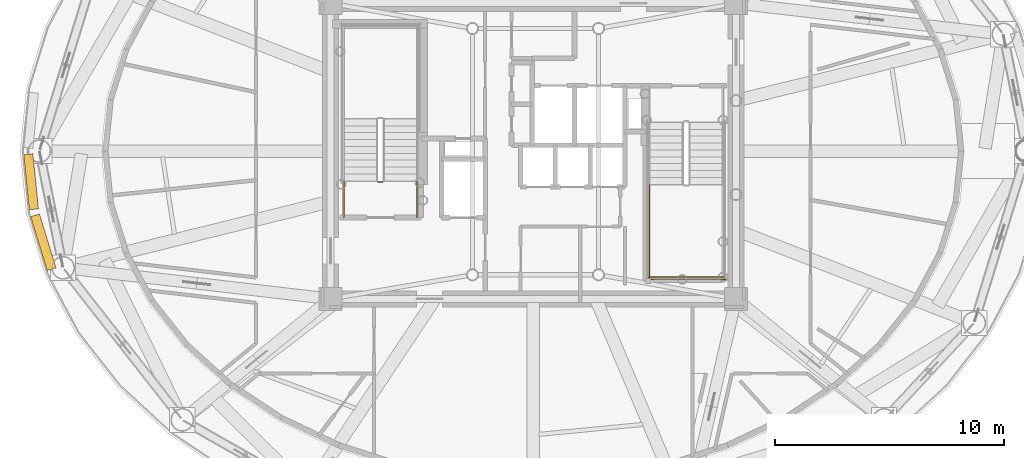
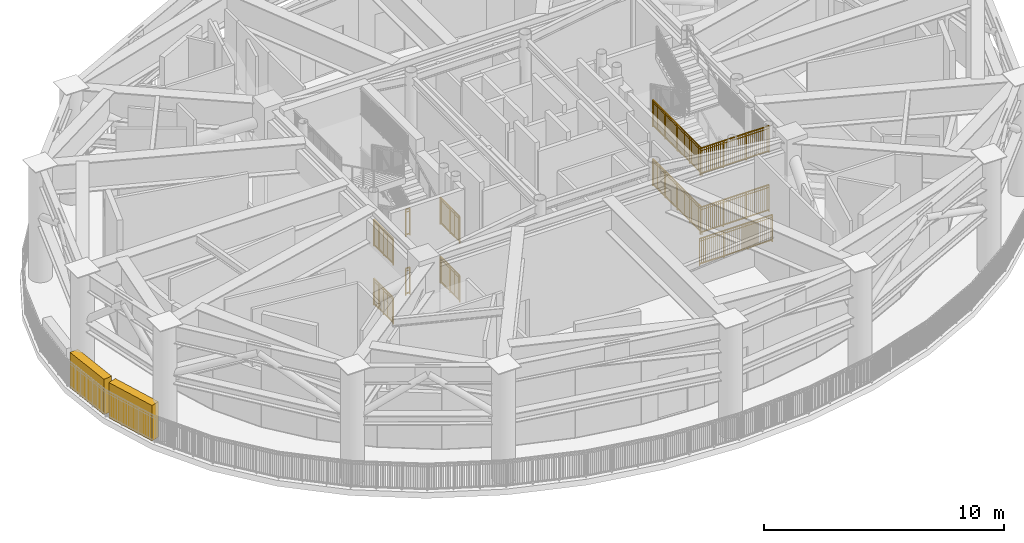
# One storey, part 11 of 17: 11 railings, 2 shading devices.
"""IFC4 building model written with IfcOpenShell, lengths in metres."""

from ifc_helpers import new_model, si_unit, direction, frame, origin, origin_2d, place, context, subcontext, project, spatial, rectangle, extrude, source, transform, mapped, material, layer, layer_set, type_object, element, save


model = new_model("IFC4")

# Units and contexts
model_context = context("Model", 3, precision=1e-05, world=origin(), true_north=direction((0.0, 1.0)))
body_context = subcontext(model_context, "Body", "Model", "MODEL_VIEW")
ifc_project = project(units=[si_unit("LENGTHUNIT", "METRE"), si_unit("AREAUNIT", "SQUARE_METRE"), si_unit("VOLUMEUNIT", "CUBIC_METRE"), si_unit("PLANEANGLEUNIT", "RADIAN"), si_unit("MASSUNIT", "GRAM", prefix="KILO")], contexts=[model_context])

# Site, building, storey
site_placement = place(None, origin())
site = spatial("IfcSite", under=ifc_project, at=site_placement, CompositionType="ELEMENT")
building_placement = place(site_placement, origin())
building = spatial("IfcBuilding", under=site, at=building_placement, Name="Linh Dai School and Residence Tower", CompositionType="ELEMENT")
storey_placement = place(building_placement, frame((0.0, 0.0, 318.0)))
storey = spatial("IfcBuildingStorey", under=building, at=storey_placement, Name="L79", CompositionType="ELEMENT", Elevation=318.0)

# Shading devices
ifc_material_1 = material(Name="Terracotta Aerofoil Louvre", Category="masonry")
ifc_layer = layer(ifc_material_1, 0.14990234375)
ifc_layer_set = layer_set([ifc_layer], Name="Terracotta Aerofoil Louvre")
shading_device_type = type_object("IfcShadingDeviceType", Name="SHD-JAL-400", PredefinedType="JALOUSIE", material=ifc_layer_set)
shared_shape_1 = source(origin(), body_context, "Body", "SweptSolid", [
    extrude(rectangle(XDim=2.419189453125, YDim=0.39990234375, at=origin_2d()), origin(), (0.0, 0.0, 1.0), 1.800048828125),
])
shading_device_1_placement = place(storey_placement, frame((14.08447265625, 25.662841796875, 0.0), z_axis=(0.0, 0.0, 1.0), x_axis=(-0.100014567014, 0.994985972959, 0.0)))
element("IfcShadingDevice", 1, at=shading_device_1_placement, inside=storey, type_object=shading_device_type, Name="L79 Wind Turbine Aerodynamic Louvre 21", PredefinedType="JALOUSIE", context=body_context, shape_type="MappedRepresentation", body=[
    mapped(shared_shape_1, transform((0.0, 0.0, 0.0), x_axis=(1.0, 0.0, 0.0), y_axis=(0.0, 1.0, 0.0), z_axis=(0.0, 0.0, 1.0), scale=1.0)),
])
shared_shape_2 = source(origin(), body_context, "Body", "SweptSolid", [
    extrude(rectangle(XDim=2.45849609375, YDim=0.39990234375, at=origin_2d()), origin(), (0.0, 0.0, 1.0), 1.800048828125),
])
shading_device_2_placement = place(storey_placement, frame((14.619140625, 23.019775390625, 0.0), z_axis=(0.0, 0.0, 1.0), x_axis=(-0.293156561718, 0.956064448833, 0.0)))
element("IfcShadingDevice", 2, at=shading_device_2_placement, inside=storey, type_object=shading_device_type, Name="L79 Wind Turbine Aerodynamic Louvre 22", PredefinedType="JALOUSIE", context=body_context, shape_type="MappedRepresentation", body=[
    mapped(shared_shape_2, transform((0.0, 0.0, 0.0), x_axis=(1.0, 0.0, 0.0), y_axis=(0.0, 1.0, 0.0), z_axis=(0.0, 0.0, 1.0), scale=1.0)),
])

# Railings
ifc_material_2 = material(Name="Structural Steel S355JR", Category="steel")
railing_type = type_object("IfcRailingType", Name="RL-ST-GUARD-1400", PredefinedType="GUARDRAIL", material=ifc_material_2)
shared_shape_3 = source(origin(), body_context, "Body", "SweptSolid", [
    extrude(rectangle(XDim=0.048095703125, YDim=0.048095703125, at=origin_2d()), frame((0.0, 0.0, 1.3759765625), z_axis=(-1.0, 0.0, 0.0), x_axis=(0.0, -1.0, 0.0)), (0.0, 0.0, 1.0), 0.199951171875),
    extrude(rectangle(XDim=0.048095703125, YDim=0.048095703125, at=origin_2d()), frame((0.0, 0.0, 0.10009765625), z_axis=(-1.0, 0.0, 0.0), x_axis=(0.0, -1.0, 0.0)), (0.0, 0.0, 1.0), 0.199951171875),
    extrude(rectangle(XDim=0.030029296875, YDim=0.030029296875, at=origin_2d()), frame((0.0, 0.0, 1.239990234375), z_axis=(-1.0, 0.0, 0.0), x_axis=(0.0, -1.0, 0.0)), (0.0, 0.0, 1.0), 0.199951171875),
    extrude(rectangle(XDim=0.0419921875, YDim=0.0419921875, at=origin_2d()), origin(), (0.0, 0.0, 1.0), 1.3759765625),
    extrude(rectangle(XDim=0.0419921875, YDim=0.0419921875, at=origin_2d()), frame((-0.199951171875, 0.0, 0.0)), (0.0, 0.0, 1.0), 1.3759765625),
])
for number, where, name in (
    (3, (29.429931640625, 25.64990234375, 3.0), "L79 ST1 stair guard 7"),
    (4, (29.429931640625, 25.64990234375, 0.0), "L79 ST1 stair guard 16"),
):
    element("IfcRailing", number, at=place(storey_placement, frame(where)), inside=storey, type_object=railing_type, Name=name, PredefinedType="GUARDRAIL", context=body_context, shape_type="MappedRepresentation", body=[
        mapped(shared_shape_3, transform((0.0, 0.0, 0.0), x_axis=(1.0, 0.0, 0.0), y_axis=(0.0, 1.0, 0.0), z_axis=(0.0, 0.0, 1.0), scale=1.0)),
    ])
shared_shape_4 = source(origin(), body_context, "Body", "SweptSolid", [
    extrude(rectangle(XDim=0.048095703125, YDim=0.048095703125, at=origin_2d()), frame((0.0, 0.0, 1.3759765625), z_axis=(0.0, 1.0, 0.0), x_axis=(-1.0, 0.0, 0.0)), (0.0, 0.0, 1.0), 1.599853515625),
    extrude(rectangle(XDim=0.048095703125, YDim=0.048095703125, at=origin_2d()), frame((0.0, 0.0, 0.10009765625), z_axis=(0.0, 1.0, 0.0), x_axis=(-1.0, 0.0, 0.0)), (0.0, 0.0, 1.0), 1.599853515625),
    extrude(rectangle(XDim=0.030029296875, YDim=0.030029296875, at=origin_2d()), frame((0.0, 0.0, 1.239990234375), z_axis=(0.0, 1.0, 0.0), x_axis=(-1.0, 0.0, 0.0)), (0.0, 0.0, 1.0), 1.599853515625),
    extrude(rectangle(XDim=0.02001953125, YDim=0.02001953125, at=origin_2d()), frame((0.0, 0.093994140625, 0.10009765625)), (0.0, 0.0, 1.0), 1.251708984375),
    extrude(rectangle(XDim=0.02001953125, YDim=0.02001953125, at=origin_2d()), frame((0.0, 0.188232421875, 0.10009765625)), (0.0, 0.0, 1.0), 1.251708984375),
    extrude(rectangle(XDim=0.02001953125, YDim=0.02001953125, at=origin_2d()), frame((0.0, 0.2822265625, 0.10009765625)), (0.0, 0.0, 1.0), 1.251708984375),
    extrude(rectangle(XDim=0.02001953125, YDim=0.02001953125, at=origin_2d()), frame((0.0, 0.37646484375, 0.10009765625)), (0.0, 0.0, 1.0), 1.251708984375),
    extrude(rectangle(XDim=0.02001953125, YDim=0.02001953125, at=origin_2d()), frame((0.0, 0.470458984375, 0.10009765625)), (0.0, 0.0, 1.0), 1.251708984375),
    extrude(rectangle(XDim=0.02001953125, YDim=0.02001953125, at=origin_2d()), frame((0.0, 0.564697265625, 0.10009765625)), (0.0, 0.0, 1.0), 1.251708984375),
    extrude(rectangle(XDim=0.02001953125, YDim=0.02001953125, at=origin_2d()), frame((0.0, 0.65869140625, 0.10009765625)), (0.0, 0.0, 1.0), 1.251708984375),
    extrude(rectangle(XDim=0.02001953125, YDim=0.02001953125, at=origin_2d()), frame((0.0, 0.7529296875, 0.10009765625)), (0.0, 0.0, 1.0), 1.251708984375),
    extrude(rectangle(XDim=0.02001953125, YDim=0.02001953125, at=origin_2d()), frame((0.0, 0.846923828125, 0.10009765625)), (0.0, 0.0, 1.0), 1.251708984375),
    extrude(rectangle(XDim=0.02001953125, YDim=0.02001953125, at=origin_2d()), frame((0.0, 0.941162109375, 0.10009765625)), (0.0, 0.0, 1.0), 1.251708984375),
    extrude(rectangle(XDim=0.02001953125, YDim=0.02001953125, at=origin_2d()), frame((0.0, 1.03515625, 0.10009765625)), (0.0, 0.0, 1.0), 1.251708984375),
    extrude(rectangle(XDim=0.02001953125, YDim=0.02001953125, at=origin_2d()), frame((0.0, 1.12939453125, 0.10009765625)), (0.0, 0.0, 1.0), 1.251708984375),
    extrude(rectangle(XDim=0.02001953125, YDim=0.02001953125, at=origin_2d()), frame((0.0, 1.223388671875, 0.10009765625)), (0.0, 0.0, 1.0), 1.251708984375),
    extrude(rectangle(XDim=0.02001953125, YDim=0.02001953125, at=origin_2d()), frame((0.0, 1.317626953125, 0.10009765625)), (0.0, 0.0, 1.0), 1.251708984375),
    extrude(rectangle(XDim=0.02001953125, YDim=0.02001953125, at=origin_2d()), frame((0.0, 1.41162109375, 0.10009765625)), (0.0, 0.0, 1.0), 1.251708984375),
    extrude(rectangle(XDim=0.02001953125, YDim=0.02001953125, at=origin_2d()), frame((0.0, 1.505859375, 0.10009765625)), (0.0, 0.0, 1.0), 1.251708984375),
    extrude(rectangle(XDim=0.0419921875, YDim=0.0419921875, at=origin_2d()), origin(), (0.0, 0.0, 1.0), 1.3759765625),
    extrude(rectangle(XDim=0.0419921875, YDim=0.0419921875, at=origin_2d()), frame((0.0, 0.7998046875, 0.0)), (0.0, 0.0, 1.0), 1.3759765625),
    extrude(rectangle(XDim=0.0419921875, YDim=0.0419921875, at=origin_2d()), frame((0.0, 1.599853515625, 0.0)), (0.0, 0.0, 1.0), 1.3759765625),
])
for number, where, name in (
    (5, (30.929931640625, 24.10009765625, 3.0), "L79 ST1 stair guard 8"),
    (6, (27.72998046875, 24.10009765625, 3.0), "L79 ST1 stair guard 9"),
    (7, (30.929931640625, 24.10009765625, 0.0), "L79 ST1 stair guard 17"),
    (8, (27.72998046875, 24.10009765625, 0.0), "L79 ST1 stair guard 18"),
):
    element("IfcRailing", number, at=place(storey_placement, frame(where)), inside=storey, type_object=railing_type, Name=name, PredefinedType="GUARDRAIL", context=body_context, shape_type="MappedRepresentation", body=[
        mapped(shared_shape_4, transform((0.0, 0.0, 0.0), x_axis=(1.0, 0.0, 0.0), y_axis=(0.0, 1.0, 0.0), z_axis=(0.0, 0.0, 1.0), scale=1.0)),
    ])
shared_shape_5 = source(origin(), body_context, "Body", "SweptSolid", [
    extrude(rectangle(XDim=0.048095703125, YDim=0.048095703125, at=origin_2d()), frame((0.0, 0.0, 1.3759765625), z_axis=(1.0, 0.0, 0.0), x_axis=(0.0, 1.0, 0.0)), (0.0, 0.0, 1.0), 3.300048828125),
    extrude(rectangle(XDim=0.048095703125, YDim=0.048095703125, at=origin_2d()), frame((0.0, 0.0, 0.10009765625), z_axis=(1.0, 0.0, 0.0), x_axis=(0.0, 1.0, 0.0)), (0.0, 0.0, 1.0), 3.300048828125),
    extrude(rectangle(XDim=0.030029296875, YDim=0.030029296875, at=origin_2d()), frame((0.0, 0.0, 1.239990234375), z_axis=(1.0, 0.0, 0.0), x_axis=(0.0, 1.0, 0.0)), (0.0, 0.0, 1.0), 3.300048828125),
    extrude(rectangle(XDim=0.02001953125, YDim=0.02001953125, at=origin_2d()), frame((0.09716796875, 0.0, 0.10009765625)), (0.0, 0.0, 1.0), 1.251708984375),
    extrude(rectangle(XDim=0.02001953125, YDim=0.02001953125, at=origin_2d()), frame((0.194091796875, 0.0, 0.10009765625)), (0.0, 0.0, 1.0), 1.251708984375),
    extrude(rectangle(XDim=0.02001953125, YDim=0.02001953125, at=origin_2d()), frame((0.291259765625, 0.0, 0.10009765625)), (0.0, 0.0, 1.0), 1.251708984375),
    extrude(rectangle(XDim=0.02001953125, YDim=0.02001953125, at=origin_2d()), frame((0.38818359375, 0.0, 0.10009765625)), (0.0, 0.0, 1.0), 1.251708984375),
    extrude(rectangle(XDim=0.02001953125, YDim=0.02001953125, at=origin_2d()), frame((0.4853515625, 0.0, 0.10009765625)), (0.0, 0.0, 1.0), 1.251708984375),
    extrude(rectangle(XDim=0.02001953125, YDim=0.02001953125, at=origin_2d()), frame((0.582275390625, 0.0, 0.10009765625)), (0.0, 0.0, 1.0), 1.251708984375),
    extrude(rectangle(XDim=0.02001953125, YDim=0.02001953125, at=origin_2d()), frame((0.679443359375, 0.0, 0.10009765625)), (0.0, 0.0, 1.0), 1.251708984375),
    extrude(rectangle(XDim=0.02001953125, YDim=0.02001953125, at=origin_2d()), frame((0.7763671875, 0.0, 0.10009765625)), (0.0, 0.0, 1.0), 1.251708984375),
    extrude(rectangle(XDim=0.02001953125, YDim=0.02001953125, at=origin_2d()), frame((0.87353515625, 0.0, 0.10009765625)), (0.0, 0.0, 1.0), 1.251708984375),
    extrude(rectangle(XDim=0.02001953125, YDim=0.02001953125, at=origin_2d()), frame((0.970703125, 0.0, 0.10009765625)), (0.0, 0.0, 1.0), 1.251708984375),
    extrude(rectangle(XDim=0.02001953125, YDim=0.02001953125, at=origin_2d()), frame((1.164794921875, 0.0, 0.10009765625)), (0.0, 0.0, 1.0), 1.251708984375),
    extrude(rectangle(XDim=0.02001953125, YDim=0.02001953125, at=origin_2d()), frame((1.26171875, 0.0, 0.10009765625)), (0.0, 0.0, 1.0), 1.251708984375),
    extrude(rectangle(XDim=0.02001953125, YDim=0.02001953125, at=origin_2d()), frame((1.35888671875, 0.0, 0.10009765625)), (0.0, 0.0, 1.0), 1.251708984375),
    extrude(rectangle(XDim=0.02001953125, YDim=0.02001953125, at=origin_2d()), frame((1.455810546875, 0.0, 0.10009765625)), (0.0, 0.0, 1.0), 1.251708984375),
    extrude(rectangle(XDim=0.02001953125, YDim=0.02001953125, at=origin_2d()), frame((1.552978515625, 0.0, 0.10009765625)), (0.0, 0.0, 1.0), 1.251708984375),
    extrude(rectangle(XDim=0.02001953125, YDim=0.02001953125, at=origin_2d()), frame((1.64990234375, 0.0, 0.10009765625)), (0.0, 0.0, 1.0), 1.251708984375),
    extrude(rectangle(XDim=0.02001953125, YDim=0.02001953125, at=origin_2d()), frame((1.7470703125, 0.0, 0.10009765625)), (0.0, 0.0, 1.0), 1.251708984375),
    extrude(rectangle(XDim=0.02001953125, YDim=0.02001953125, at=origin_2d()), frame((1.84423828125, 0.0, 0.10009765625)), (0.0, 0.0, 1.0), 1.251708984375),
    extrude(rectangle(XDim=0.02001953125, YDim=0.02001953125, at=origin_2d()), frame((1.941162109375, 0.0, 0.10009765625)), (0.0, 0.0, 1.0), 1.251708984375),
    extrude(rectangle(XDim=0.02001953125, YDim=0.02001953125, at=origin_2d()), frame((2.038330078125, 0.0, 0.10009765625)), (0.0, 0.0, 1.0), 1.251708984375),
    extrude(rectangle(XDim=0.02001953125, YDim=0.02001953125, at=origin_2d()), frame((2.13525390625, 0.0, 0.10009765625)), (0.0, 0.0, 1.0), 1.251708984375),
    extrude(rectangle(XDim=0.02001953125, YDim=0.02001953125, at=origin_2d()), frame((2.329345703125, 0.0, 0.10009765625)), (0.0, 0.0, 1.0), 1.251708984375),
    extrude(rectangle(XDim=0.02001953125, YDim=0.02001953125, at=origin_2d()), frame((2.426513671875, 0.0, 0.10009765625)), (0.0, 0.0, 1.0), 1.251708984375),
    extrude(rectangle(XDim=0.02001953125, YDim=0.02001953125, at=origin_2d()), frame((2.523681640625, 0.0, 0.10009765625)), (0.0, 0.0, 1.0), 1.251708984375),
    extrude(rectangle(XDim=0.02001953125, YDim=0.02001953125, at=origin_2d()), frame((2.62060546875, 0.0, 0.10009765625)), (0.0, 0.0, 1.0), 1.251708984375),
    extrude(rectangle(XDim=0.02001953125, YDim=0.02001953125, at=origin_2d()), frame((2.7177734375, 0.0, 0.10009765625)), (0.0, 0.0, 1.0), 1.251708984375),
    extrude(rectangle(XDim=0.02001953125, YDim=0.02001953125, at=origin_2d()), frame((2.814697265625, 0.0, 0.10009765625)), (0.0, 0.0, 1.0), 1.251708984375),
    extrude(rectangle(XDim=0.02001953125, YDim=0.02001953125, at=origin_2d()), frame((2.911865234375, 0.0, 0.10009765625)), (0.0, 0.0, 1.0), 1.251708984375),
    extrude(rectangle(XDim=0.02001953125, YDim=0.02001953125, at=origin_2d()), frame((3.0087890625, 0.0, 0.10009765625)), (0.0, 0.0, 1.0), 1.251708984375),
    extrude(rectangle(XDim=0.02001953125, YDim=0.02001953125, at=origin_2d()), frame((3.10595703125, 0.0, 0.10009765625)), (0.0, 0.0, 1.0), 1.251708984375),
    extrude(rectangle(XDim=0.02001953125, YDim=0.02001953125, at=origin_2d()), frame((3.202880859375, 0.0, 0.10009765625)), (0.0, 0.0, 1.0), 1.251708984375),
    extrude(rectangle(XDim=0.0419921875, YDim=0.0419921875, at=origin_2d()), origin(), (0.0, 0.0, 1.0), 1.3759765625),
    extrude(rectangle(XDim=0.0419921875, YDim=0.0419921875, at=origin_2d()), frame((1.10009765625, 0.0, 0.0)), (0.0, 0.0, 1.0), 1.3759765625),
    extrude(rectangle(XDim=0.0419921875, YDim=0.0419921875, at=origin_2d()), frame((2.199951171875, 0.0, 0.0)), (0.0, 0.0, 1.0), 1.3759765625),
    extrude(rectangle(XDim=0.0419921875, YDim=0.0419921875, at=origin_2d()), frame((3.300048828125, 0.0, 0.0)), (0.0, 0.0, 1.0), 1.3759765625),
])
for number, where, name in (
    (9, (41.02001953125, 21.5, 1.5), "L79 ST2 stair guard 5"),
    (10, (41.02001953125, 21.5, 4.5), "L79 ST2 stair guard 14"),
):
    element("IfcRailing", number, at=place(storey_placement, frame(where)), inside=storey, type_object=railing_type, Name=name, PredefinedType="GUARDRAIL", context=body_context, shape_type="MappedRepresentation", body=[
        mapped(shared_shape_5, transform((0.0, 0.0, 0.0), x_axis=(1.0, 0.0, 0.0), y_axis=(0.0, 1.0, 0.0), z_axis=(0.0, 0.0, 1.0), scale=1.0)),
    ])
shared_shape_6 = source(origin(), body_context, "Body", "SweptSolid", [
    extrude(rectangle(XDim=0.048095703125, YDim=0.048095703125, at=origin_2d()), frame((0.0, 0.0, 1.3759765625), z_axis=(1.0, 0.0, 0.0), x_axis=(0.0, 1.0, 0.0)), (0.0, 0.0, 1.0), 3.5),
    extrude(rectangle(XDim=0.048095703125, YDim=0.048095703125, at=origin_2d()), frame((0.0, 0.0, 0.10009765625), z_axis=(1.0, 0.0, 0.0), x_axis=(0.0, 1.0, 0.0)), (0.0, 0.0, 1.0), 3.5),
    extrude(rectangle(XDim=0.030029296875, YDim=0.030029296875, at=origin_2d()), frame((0.0, 0.0, 1.239990234375), z_axis=(1.0, 0.0, 0.0), x_axis=(0.0, 1.0, 0.0)), (0.0, 0.0, 1.0), 3.5),
    extrude(rectangle(XDim=0.02001953125, YDim=0.02001953125, at=origin_2d()), frame((0.09716796875, 0.0, 0.10009765625)), (0.0, 0.0, 1.0), 1.251708984375),
    extrude(rectangle(XDim=0.02001953125, YDim=0.02001953125, at=origin_2d()), frame((0.1943359375, 0.0, 0.10009765625)), (0.0, 0.0, 1.0), 1.251708984375),
    extrude(rectangle(XDim=0.02001953125, YDim=0.02001953125, at=origin_2d()), frame((0.291748046875, 0.0, 0.10009765625)), (0.0, 0.0, 1.0), 1.251708984375),
    extrude(rectangle(XDim=0.02001953125, YDim=0.02001953125, at=origin_2d()), frame((0.388916015625, 0.0, 0.10009765625)), (0.0, 0.0, 1.0), 1.251708984375),
    extrude(rectangle(XDim=0.02001953125, YDim=0.02001953125, at=origin_2d()), frame((0.486083984375, 0.0, 0.10009765625)), (0.0, 0.0, 1.0), 1.251708984375),
    extrude(rectangle(XDim=0.02001953125, YDim=0.02001953125, at=origin_2d()), frame((0.583251953125, 0.0, 0.10009765625)), (0.0, 0.0, 1.0), 1.251708984375),
    extrude(rectangle(XDim=0.02001953125, YDim=0.02001953125, at=origin_2d()), frame((0.6806640625, 0.0, 0.10009765625)), (0.0, 0.0, 1.0), 1.251708984375),
    extrude(rectangle(XDim=0.02001953125, YDim=0.02001953125, at=origin_2d()), frame((0.77783203125, 0.0, 0.10009765625)), (0.0, 0.0, 1.0), 1.251708984375),
    extrude(rectangle(XDim=0.02001953125, YDim=0.02001953125, at=origin_2d()), frame((0.875, 0.0, 0.10009765625)), (0.0, 0.0, 1.0), 1.251708984375),
    extrude(rectangle(XDim=0.02001953125, YDim=0.02001953125, at=origin_2d()), frame((0.97216796875, 0.0, 0.10009765625)), (0.0, 0.0, 1.0), 1.251708984375),
    extrude(rectangle(XDim=0.02001953125, YDim=0.02001953125, at=origin_2d()), frame((1.0693359375, 0.0, 0.10009765625)), (0.0, 0.0, 1.0), 1.251708984375),
    extrude(rectangle(XDim=0.02001953125, YDim=0.02001953125, at=origin_2d()), frame((1.263916015625, 0.0, 0.10009765625)), (0.0, 0.0, 1.0), 1.251708984375),
    extrude(rectangle(XDim=0.02001953125, YDim=0.02001953125, at=origin_2d()), frame((1.361083984375, 0.0, 0.10009765625)), (0.0, 0.0, 1.0), 1.251708984375),
    extrude(rectangle(XDim=0.02001953125, YDim=0.02001953125, at=origin_2d()), frame((1.458251953125, 0.0, 0.10009765625)), (0.0, 0.0, 1.0), 1.251708984375),
    extrude(rectangle(XDim=0.02001953125, YDim=0.02001953125, at=origin_2d()), frame((1.5556640625, 0.0, 0.10009765625)), (0.0, 0.0, 1.0), 1.251708984375),
    extrude(rectangle(XDim=0.02001953125, YDim=0.02001953125, at=origin_2d()), frame((1.65283203125, 0.0, 0.10009765625)), (0.0, 0.0, 1.0), 1.251708984375),
    extrude(rectangle(XDim=0.02001953125, YDim=0.02001953125, at=origin_2d()), frame((1.75, 0.0, 0.10009765625)), (0.0, 0.0, 1.0), 1.251708984375),
    extrude(rectangle(XDim=0.02001953125, YDim=0.02001953125, at=origin_2d()), frame((1.84716796875, 0.0, 0.10009765625)), (0.0, 0.0, 1.0), 1.251708984375),
    extrude(rectangle(XDim=0.02001953125, YDim=0.02001953125, at=origin_2d()), frame((1.9443359375, 0.0, 0.10009765625)), (0.0, 0.0, 1.0), 1.251708984375),
    extrude(rectangle(XDim=0.02001953125, YDim=0.02001953125, at=origin_2d()), frame((2.041748046875, 0.0, 0.10009765625)), (0.0, 0.0, 1.0), 1.251708984375),
    extrude(rectangle(XDim=0.02001953125, YDim=0.02001953125, at=origin_2d()), frame((2.138916015625, 0.0, 0.10009765625)), (0.0, 0.0, 1.0), 1.251708984375),
    extrude(rectangle(XDim=0.02001953125, YDim=0.02001953125, at=origin_2d()), frame((2.236083984375, 0.0, 0.10009765625)), (0.0, 0.0, 1.0), 1.251708984375),
    extrude(rectangle(XDim=0.02001953125, YDim=0.02001953125, at=origin_2d()), frame((2.4306640625, 0.0, 0.10009765625)), (0.0, 0.0, 1.0), 1.251708984375),
    extrude(rectangle(XDim=0.02001953125, YDim=0.02001953125, at=origin_2d()), frame((2.52783203125, 0.0, 0.10009765625)), (0.0, 0.0, 1.0), 1.251708984375),
    extrude(rectangle(XDim=0.02001953125, YDim=0.02001953125, at=origin_2d()), frame((2.625, 0.0, 0.10009765625)), (0.0, 0.0, 1.0), 1.251708984375),
    extrude(rectangle(XDim=0.02001953125, YDim=0.02001953125, at=origin_2d()), frame((2.72216796875, 0.0, 0.10009765625)), (0.0, 0.0, 1.0), 1.251708984375),
    extrude(rectangle(XDim=0.02001953125, YDim=0.02001953125, at=origin_2d()), frame((2.8193359375, 0.0, 0.10009765625)), (0.0, 0.0, 1.0), 1.251708984375),
    extrude(rectangle(XDim=0.02001953125, YDim=0.02001953125, at=origin_2d()), frame((2.916748046875, 0.0, 0.10009765625)), (0.0, 0.0, 1.0), 1.251708984375),
    extrude(rectangle(XDim=0.02001953125, YDim=0.02001953125, at=origin_2d()), frame((3.013916015625, 0.0, 0.10009765625)), (0.0, 0.0, 1.0), 1.251708984375),
    extrude(rectangle(XDim=0.02001953125, YDim=0.02001953125, at=origin_2d()), frame((3.111083984375, 0.0, 0.10009765625)), (0.0, 0.0, 1.0), 1.251708984375),
    extrude(rectangle(XDim=0.02001953125, YDim=0.02001953125, at=origin_2d()), frame((3.208251953125, 0.0, 0.10009765625)), (0.0, 0.0, 1.0), 1.251708984375),
    extrude(rectangle(XDim=0.02001953125, YDim=0.02001953125, at=origin_2d()), frame((3.3056640625, 0.0, 0.10009765625)), (0.0, 0.0, 1.0), 1.251708984375),
    extrude(rectangle(XDim=0.02001953125, YDim=0.02001953125, at=origin_2d()), frame((3.40283203125, 0.0, 0.10009765625)), (0.0, 0.0, 1.0), 1.251708984375),
    extrude(rectangle(XDim=0.0419921875, YDim=0.0419921875, at=origin_2d()), origin(), (0.0, 0.0, 1.0), 1.3759765625),
    extrude(rectangle(XDim=0.0419921875, YDim=0.0419921875, at=origin_2d()), frame((1.166748046875, 0.0, 0.0)), (0.0, 0.0, 1.0), 1.3759765625),
    extrude(rectangle(XDim=0.0419921875, YDim=0.0419921875, at=origin_2d()), frame((2.333251953125, 0.0, 0.0)), (0.0, 0.0, 1.0), 1.3759765625),
    extrude(rectangle(XDim=0.0419921875, YDim=0.0419921875, at=origin_2d()), frame((3.5, 0.0, 0.0)), (0.0, 0.0, 1.0), 1.3759765625),
])
railing_placement = place(storey_placement, frame((40.919921875, 21.39990234375, 0.0)))
element("IfcRailing", 11, at=railing_placement, inside=storey, type_object=railing_type, Name="L79 ST2 stair guard 21", PredefinedType="GUARDRAIL", context=body_context, shape_type="MappedRepresentation", body=[
    mapped(shared_shape_6, transform((0.0, 0.0, 0.0), x_axis=(1.0, 0.0, 0.0), y_axis=(0.0, 1.0, 0.0), z_axis=(0.0, 0.0, 1.0), scale=1.0)),
])
shared_shape_7 = source(origin(), body_context, "Body", "SweptSolid", [
    extrude(rectangle(XDim=0.048095703125, YDim=0.048095703125, at=origin_2d()), frame((0.0, 0.0, 1.3759765625), z_axis=(0.0, -1.0, 0.0), x_axis=(1.0, 0.0, 0.0)), (0.0, 0.0, 1.0), 4.10009765625),
    extrude(rectangle(XDim=0.048095703125, YDim=0.048095703125, at=origin_2d()), frame((0.0, 0.0, 0.10009765625), z_axis=(0.0, -1.0, 0.0), x_axis=(1.0, 0.0, 0.0)), (0.0, 0.0, 1.0), 4.10009765625),
    extrude(rectangle(XDim=0.030029296875, YDim=0.030029296875, at=origin_2d()), frame((0.0, 0.0, 1.239990234375), z_axis=(0.0, -1.0, 0.0), x_axis=(1.0, 0.0, 0.0)), (0.0, 0.0, 1.0), 4.10009765625),
    extrude(rectangle(XDim=0.02001953125, YDim=0.02001953125, at=origin_2d()), frame((0.0, -0.09765625, 0.10009765625)), (0.0, 0.0, 1.0), 1.251708984375),
    extrude(rectangle(XDim=0.02001953125, YDim=0.02001953125, at=origin_2d()), frame((0.0, -0.1953125, 0.10009765625)), (0.0, 0.0, 1.0), 1.251708984375),
    extrude(rectangle(XDim=0.02001953125, YDim=0.02001953125, at=origin_2d()), frame((0.0, -0.29296875, 0.10009765625)), (0.0, 0.0, 1.0), 1.251708984375),
    extrude(rectangle(XDim=0.02001953125, YDim=0.02001953125, at=origin_2d()), frame((0.0, -0.390380859375, 0.10009765625)), (0.0, 0.0, 1.0), 1.251708984375),
    extrude(rectangle(XDim=0.02001953125, YDim=0.02001953125, at=origin_2d()), frame((0.0, -0.488037109375, 0.10009765625)), (0.0, 0.0, 1.0), 1.251708984375),
    extrude(rectangle(XDim=0.02001953125, YDim=0.02001953125, at=origin_2d()), frame((0.0, -0.585693359375, 0.10009765625)), (0.0, 0.0, 1.0), 1.251708984375),
    extrude(rectangle(XDim=0.02001953125, YDim=0.02001953125, at=origin_2d()), frame((0.0, -0.683349609375, 0.10009765625)), (0.0, 0.0, 1.0), 1.251708984375),
    extrude(rectangle(XDim=0.02001953125, YDim=0.02001953125, at=origin_2d()), frame((0.0, -0.781005859375, 0.10009765625)), (0.0, 0.0, 1.0), 1.251708984375),
    extrude(rectangle(XDim=0.02001953125, YDim=0.02001953125, at=origin_2d()), frame((0.0, -0.878662109375, 0.10009765625)), (0.0, 0.0, 1.0), 1.251708984375),
    extrude(rectangle(XDim=0.02001953125, YDim=0.02001953125, at=origin_2d()), frame((0.0, -0.976318359375, 0.10009765625)), (0.0, 0.0, 1.0), 1.251708984375),
    extrude(rectangle(XDim=0.02001953125, YDim=0.02001953125, at=origin_2d()), frame((0.0, -1.07373046875, 0.10009765625)), (0.0, 0.0, 1.0), 1.251708984375),
    extrude(rectangle(XDim=0.02001953125, YDim=0.02001953125, at=origin_2d()), frame((0.0, -1.17138671875, 0.10009765625)), (0.0, 0.0, 1.0), 1.251708984375),
    extrude(rectangle(XDim=0.02001953125, YDim=0.02001953125, at=origin_2d()), frame((0.0, -1.26904296875, 0.10009765625)), (0.0, 0.0, 1.0), 1.251708984375),
    extrude(rectangle(XDim=0.02001953125, YDim=0.02001953125, at=origin_2d()), frame((0.0, -1.36669921875, 0.10009765625)), (0.0, 0.0, 1.0), 1.251708984375),
    extrude(rectangle(XDim=0.02001953125, YDim=0.02001953125, at=origin_2d()), frame((0.0, -1.46435546875, 0.10009765625)), (0.0, 0.0, 1.0), 1.251708984375),
    extrude(rectangle(XDim=0.02001953125, YDim=0.02001953125, at=origin_2d()), frame((0.0, -1.56201171875, 0.10009765625)), (0.0, 0.0, 1.0), 1.251708984375),
    extrude(rectangle(XDim=0.02001953125, YDim=0.02001953125, at=origin_2d()), frame((0.0, -1.65966796875, 0.10009765625)), (0.0, 0.0, 1.0), 1.251708984375),
    extrude(rectangle(XDim=0.02001953125, YDim=0.02001953125, at=origin_2d()), frame((0.0, -1.757080078125, 0.10009765625)), (0.0, 0.0, 1.0), 1.251708984375),
    extrude(rectangle(XDim=0.02001953125, YDim=0.02001953125, at=origin_2d()), frame((0.0, -1.854736328125, 0.10009765625)), (0.0, 0.0, 1.0), 1.251708984375),
    extrude(rectangle(XDim=0.02001953125, YDim=0.02001953125, at=origin_2d()), frame((0.0, -1.952392578125, 0.10009765625)), (0.0, 0.0, 1.0), 1.251708984375),
    extrude(rectangle(XDim=0.02001953125, YDim=0.02001953125, at=origin_2d()), frame((0.0, -2.147705078125, 0.10009765625)), (0.0, 0.0, 1.0), 1.251708984375),
    extrude(rectangle(XDim=0.02001953125, YDim=0.02001953125, at=origin_2d()), frame((0.0, -2.245361328125, 0.10009765625)), (0.0, 0.0, 1.0), 1.251708984375),
    extrude(rectangle(XDim=0.02001953125, YDim=0.02001953125, at=origin_2d()), frame((0.0, -2.343017578125, 0.10009765625)), (0.0, 0.0, 1.0), 1.251708984375),
    extrude(rectangle(XDim=0.02001953125, YDim=0.02001953125, at=origin_2d()), frame((0.0, -2.4404296875, 0.10009765625)), (0.0, 0.0, 1.0), 1.251708984375),
    extrude(rectangle(XDim=0.02001953125, YDim=0.02001953125, at=origin_2d()), frame((0.0, -2.5380859375, 0.10009765625)), (0.0, 0.0, 1.0), 1.251708984375),
    extrude(rectangle(XDim=0.02001953125, YDim=0.02001953125, at=origin_2d()), frame((0.0, -2.6357421875, 0.10009765625)), (0.0, 0.0, 1.0), 1.251708984375),
    extrude(rectangle(XDim=0.02001953125, YDim=0.02001953125, at=origin_2d()), frame((0.0, -2.7333984375, 0.10009765625)), (0.0, 0.0, 1.0), 1.251708984375),
    extrude(rectangle(XDim=0.02001953125, YDim=0.02001953125, at=origin_2d()), frame((0.0, -2.8310546875, 0.10009765625)), (0.0, 0.0, 1.0), 1.251708984375),
    extrude(rectangle(XDim=0.02001953125, YDim=0.02001953125, at=origin_2d()), frame((0.0, -2.9287109375, 0.10009765625)), (0.0, 0.0, 1.0), 1.251708984375),
    extrude(rectangle(XDim=0.02001953125, YDim=0.02001953125, at=origin_2d()), frame((0.0, -3.0263671875, 0.10009765625)), (0.0, 0.0, 1.0), 1.251708984375),
    extrude(rectangle(XDim=0.02001953125, YDim=0.02001953125, at=origin_2d()), frame((0.0, -3.123779296875, 0.10009765625)), (0.0, 0.0, 1.0), 1.251708984375),
    extrude(rectangle(XDim=0.02001953125, YDim=0.02001953125, at=origin_2d()), frame((0.0, -3.221435546875, 0.10009765625)), (0.0, 0.0, 1.0), 1.251708984375),
    extrude(rectangle(XDim=0.02001953125, YDim=0.02001953125, at=origin_2d()), frame((0.0, -3.319091796875, 0.10009765625)), (0.0, 0.0, 1.0), 1.251708984375),
    extrude(rectangle(XDim=0.02001953125, YDim=0.02001953125, at=origin_2d()), frame((0.0, -3.416748046875, 0.10009765625)), (0.0, 0.0, 1.0), 1.251708984375),
    extrude(rectangle(XDim=0.02001953125, YDim=0.02001953125, at=origin_2d()), frame((0.0, -3.514404296875, 0.10009765625)), (0.0, 0.0, 1.0), 1.251708984375),
    extrude(rectangle(XDim=0.02001953125, YDim=0.02001953125, at=origin_2d()), frame((0.0, -3.612060546875, 0.10009765625)), (0.0, 0.0, 1.0), 1.251708984375),
    extrude(rectangle(XDim=0.02001953125, YDim=0.02001953125, at=origin_2d()), frame((0.0, -3.709716796875, 0.10009765625)), (0.0, 0.0, 1.0), 1.251708984375),
    extrude(rectangle(XDim=0.02001953125, YDim=0.02001953125, at=origin_2d()), frame((0.0, -3.80712890625, 0.10009765625)), (0.0, 0.0, 1.0), 1.251708984375),
    extrude(rectangle(XDim=0.02001953125, YDim=0.02001953125, at=origin_2d()), frame((0.0, -3.90478515625, 0.10009765625)), (0.0, 0.0, 1.0), 1.251708984375),
    extrude(rectangle(XDim=0.02001953125, YDim=0.02001953125, at=origin_2d()), frame((0.0, -4.00244140625, 0.10009765625)), (0.0, 0.0, 1.0), 1.251708984375),
    extrude(rectangle(XDim=0.0419921875, YDim=0.0419921875, at=origin_2d()), origin(), (0.0, 0.0, 1.0), 1.3759765625),
    extrude(rectangle(XDim=0.0419921875, YDim=0.0419921875, at=origin_2d()), frame((0.0, -1.02490234375, 0.0)), (0.0, 0.0, 1.0), 1.3759765625),
    extrude(rectangle(XDim=0.0419921875, YDim=0.0419921875, at=origin_2d()), frame((0.0, -2.050048828125, 0.0)), (0.0, 0.0, 1.0), 1.3759765625),
    extrude(rectangle(XDim=0.0419921875, YDim=0.0419921875, at=origin_2d()), frame((0.0, -3.0751953125, 0.0)), (0.0, 0.0, 1.0), 1.3759765625),
    extrude(rectangle(XDim=0.0419921875, YDim=0.0419921875, at=origin_2d()), frame((0.0, -4.10009765625, 0.0)), (0.0, 0.0, 1.0), 1.3759765625),
])
for number, where, name in (
    (12, (41.070068359375, 25.550048828125, 1.5), "L79 ST2 stair guard 3"),
    (13, (41.070068359375, 25.550048828125, 4.5), "L79 ST2 stair guard 12"),
):
    element("IfcRailing", number, at=place(storey_placement, frame(where)), inside=storey, type_object=railing_type, Name=name, PredefinedType="GUARDRAIL", context=body_context, shape_type="MappedRepresentation", body=[
        mapped(shared_shape_7, transform((0.0, 0.0, 0.0), x_axis=(1.0, 0.0, 0.0), y_axis=(0.0, 1.0, 0.0), z_axis=(0.0, 0.0, 1.0), scale=1.0)),
    ])

save(model, "model.ifc")
